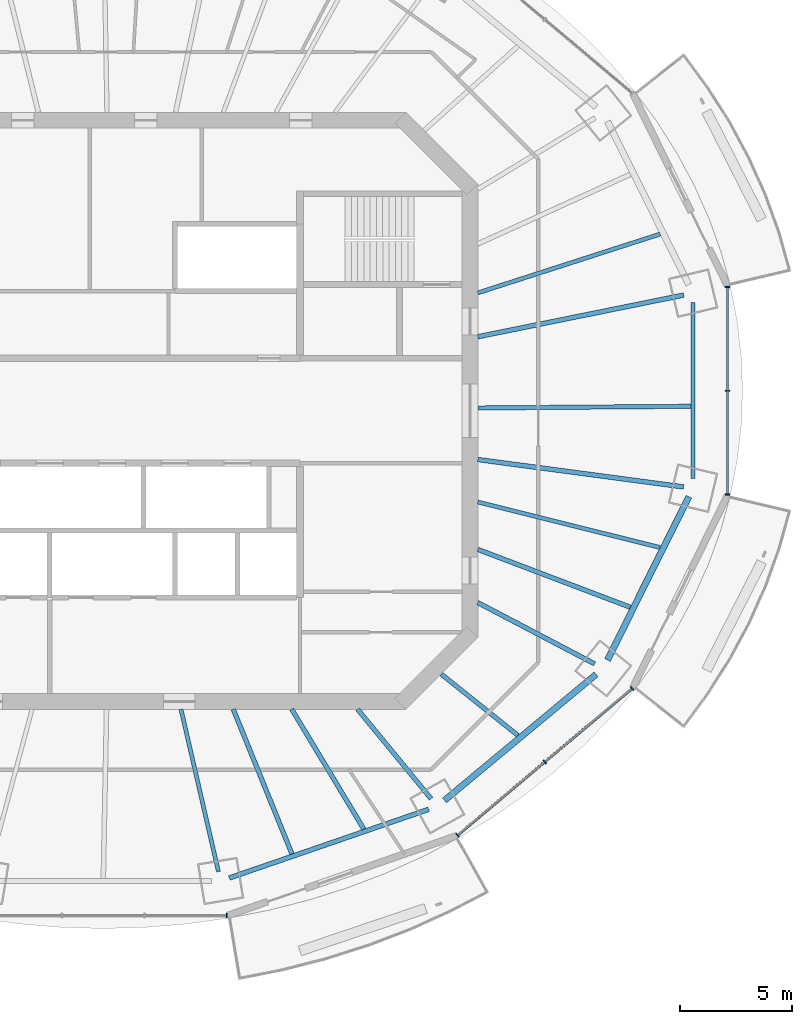
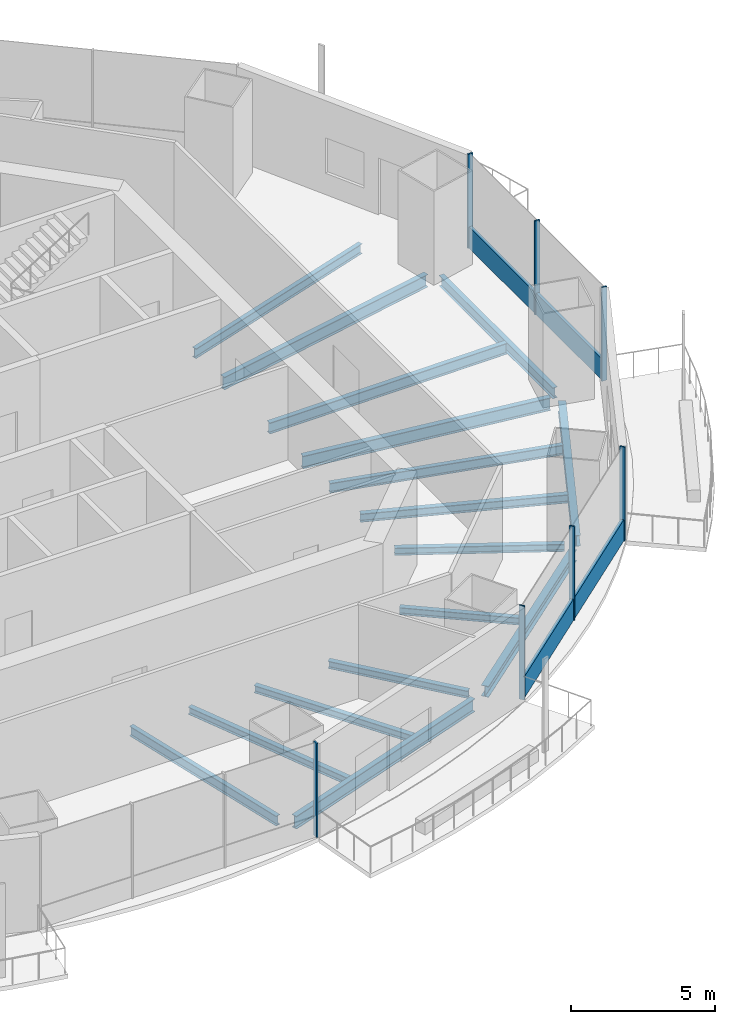
# One storey, part 4 of 16: 16 beams, 9 members, 3 elements without a shape of their own.
"""IFC4 building model written with IfcOpenShell, lengths in metres."""

from ifc_helpers import new_model, si_unit, direction, frame, origin, origin_2d, place, context, subcontext, project, spatial, rectangle, i_section, extrude, material, material_profile, profile_set, type_object, element, aggregate, save


model = new_model("IFC4")

# Units and contexts
model_context = context("Model", 3, precision=1e-05, world=origin(), true_north=direction((0.0, 1.0)))
body_context = subcontext(model_context, "Body", "Model", "MODEL_VIEW")
ifc_project = project(units=[si_unit("LENGTHUNIT", "METRE"), si_unit("AREAUNIT", "SQUARE_METRE"), si_unit("VOLUMEUNIT", "CUBIC_METRE"), si_unit("PLANEANGLEUNIT", "RADIAN"), si_unit("MASSUNIT", "GRAM", prefix="KILO")], contexts=[model_context])

# Site, building, storey
site_placement = place(None, origin())
site = spatial("IfcSite", under=ifc_project, at=site_placement, CompositionType="ELEMENT")
building_placement = place(site_placement, origin())
building = spatial("IfcBuilding", under=site, at=building_placement, Name="Marenthal Gate Tower", CompositionType="ELEMENT")
storey_placement = place(building_placement, frame((0.0, 0.0, 301.10009765625)))
storey = spatial("IfcBuildingStorey", under=building, at=storey_placement, Name="L67", CompositionType="ELEMENT", Elevation=301.10009765625)

# Curtain wall, member
ifc_material_1 = material(Name="Aluminium and glass", Category="aluminium")
curtain_wall_type = type_object("IfcCurtainWallType", Name="Curtain wall typical high", PredefinedType="NOTDEFINED", material=ifc_material_1)
curtain_wall_1_placement = place(storey_placement, origin())
curtain_wall_1 = element("IfcCurtainWall", 1, at=curtain_wall_1_placement, inside=storey, type_object=curtain_wall_type, Name="Curtain wall L67 bay 12", PredefinedType="NOTDEFINED")
ifc_material_2 = material(Name="Aluminium", Category="aluminium")
ifc_material_profile_1 = material_profile(ifc_material_2, rectangle(XDim=0.199951171875, YDim=0.06005859375, at=origin_2d()), Name="60x200 aluminium mullion")
ifc_profile_set_1 = profile_set([ifc_material_profile_1], Name="Aluminium")
member_type_1 = type_object("IfcMemberType", Name="Mullion 60x200 typical high", PredefinedType="MULLION", material=ifc_profile_set_1)
member_1_placement = place(storey_placement, frame((5.12548828125, -22.577880859375, 0.0), z_axis=(0.0, 0.0, 1.0), x_axis=(0.0, 1.0, 0.0)))
member_1 = element("IfcMember", 2, at=member_1_placement, type_object=member_type_1, Name="Mullion L67 bay 12.4", PredefinedType="MULLION", context=body_context, shape_type="SweptSolid", body=[
    extrude(rectangle(XDim=0.199951171875, YDim=0.06005859375, at=origin_2d()), origin(), (0.0, 0.0, 1.0), 3.969970703125),
])
aggregate(curtain_wall_1, [member_1])

# Curtain wall, members
curtain_wall_2_placement = place(storey_placement, origin())
curtain_wall_2 = element("IfcCurtainWall", 3, at=curtain_wall_2_placement, inside=storey, type_object=curtain_wall_type, Name="Curtain wall L67 bay 14", PredefinedType="NOTDEFINED")
member_2_placement = place(storey_placement, frame((15.443359375, -18.984375, 0.0), z_axis=(0.0, 0.0, 1.0), x_axis=(-0.643479945432, 0.765462970905, 0.0)))
member_2 = element("IfcMember", 4, at=member_2_placement, type_object=member_type_1, Name="Mullion L67 bay 14.1", PredefinedType="MULLION", context=body_context, shape_type="SweptSolid", body=[
    extrude(rectangle(XDim=0.199951171875, YDim=0.06005859375, at=origin_2d()), origin(), (0.0, 0.0, 1.0), 3.969970703125),
])
member_3_placement = place(storey_placement, frame((19.3486328125, -15.701416015625, 0.0), z_axis=(0.0, 0.0, 1.0), x_axis=(-0.643479945432, 0.765462970905, 0.0)))
member_3 = element("IfcMember", 5, at=member_3_placement, type_object=member_type_1, Name="Mullion L67 bay 14.2", PredefinedType="MULLION", context=body_context, shape_type="SweptSolid", body=[
    extrude(rectangle(XDim=0.199951171875, YDim=0.06005859375, at=origin_2d()), origin(), (0.0, 0.0, 1.0), 3.969970703125),
])
member_4_placement = place(storey_placement, frame((23.25390625, -12.41845703125, 0.0), z_axis=(0.0, 0.0, 1.0), x_axis=(-0.643479945432, 0.765462970905, 0.0)))
member_4 = element("IfcMember", 6, at=member_4_placement, type_object=member_type_1, Name="Mullion L67 bay 14.3", PredefinedType="MULLION", context=body_context, shape_type="SweptSolid", body=[
    extrude(rectangle(XDim=0.199951171875, YDim=0.06005859375, at=origin_2d()), origin(), (0.0, 0.0, 1.0), 3.969970703125),
])

curtain_wall_3_placement = place(storey_placement, origin())
curtain_wall_3 = element("IfcCurtainWall", 7, at=curtain_wall_3_placement, inside=storey, type_object=curtain_wall_type, Name="Curtain wall L67 bay 16", PredefinedType="NOTDEFINED")
member_5_placement = place(storey_placement, frame((27.52880859375, -3.739990234375, 0.0), z_axis=(0.0, 0.0, 1.0), x_axis=(-1.0, 0.0, 0.0)))
member_5 = element("IfcMember", 8, at=member_5_placement, type_object=member_type_1, Name="Mullion L67 bay 16.1", PredefinedType="MULLION", context=body_context, shape_type="SweptSolid", body=[
    extrude(rectangle(XDim=0.199951171875, YDim=0.06005859375, at=origin_2d()), origin(), (0.0, 0.0, 1.0), 3.969970703125),
])
member_6_placement = place(storey_placement, frame((27.52880859375, 0.89990234375, 0.0), z_axis=(0.0, 0.0, 1.0), x_axis=(-1.0, 0.0, 0.0)))
member_6 = element("IfcMember", 9, at=member_6_placement, type_object=member_type_1, Name="Mullion L67 bay 16.2", PredefinedType="MULLION", context=body_context, shape_type="SweptSolid", body=[
    extrude(rectangle(XDim=0.199951171875, YDim=0.06005859375, at=origin_2d()), origin(), (0.0, 0.0, 1.0), 3.969970703125),
])
member_7_placement = place(storey_placement, frame((27.52880859375, 5.5400390625, 0.0), z_axis=(0.0, 0.0, 1.0), x_axis=(-1.0, 0.0, 0.0)))
member_7 = element("IfcMember", 10, at=member_7_placement, type_object=member_type_1, Name="Mullion L67 bay 16.3", PredefinedType="MULLION", context=body_context, shape_type="SweptSolid", body=[
    extrude(rectangle(XDim=0.199951171875, YDim=0.06005859375, at=origin_2d()), origin(), (0.0, 0.0, 1.0), 3.969970703125),
])

# Member
ifc_material_3 = material(Name="Aluminium", Category="aluminium")
ifc_material_profile_2 = material_profile(ifc_material_3, rectangle(XDim=0.1201171875, YDim=0.89990234375, at=origin_2d()), Name="120x900 aluminium transom")
ifc_profile_set_2 = profile_set([ifc_material_profile_2], Name="Aluminium")
member_type_2 = type_object("IfcMemberType", Name="Transom 120x900 typical high", PredefinedType="USERDEFINED", material=ifc_profile_set_2)
member_8_placement = place(storey_placement, frame((15.46630859375, -18.965087890625, 0.449951171875), z_axis=(0.765460155219, 0.643483294866, 0.0), x_axis=(-0.643483294866, 0.765460155219, 0.0)))
member_8 = element("IfcMember", 11, at=member_8_placement, type_object=member_type_2, Name="Transom L67 bay 14", ObjectType="TRANSOM", PredefinedType="USERDEFINED", context=body_context, shape_type="SweptSolid", body=[
    extrude(rectangle(XDim=0.1201171875, YDim=0.89990234375, at=origin_2d()), origin(), (0.0, 0.0, 1.0), 10.143798828125),
])

aggregate(curtain_wall_2, [member_2, member_3, member_4, member_8])

member_9_placement = place(storey_placement, frame((27.52880859375, -3.710205078125, 0.449951171875), z_axis=(0.0, 1.0, 0.0), x_axis=(-1.0, 0.0, 0.0)))
member_9 = element("IfcMember", 12, at=member_9_placement, type_object=member_type_2, Name="Transom L67 bay 16", ObjectType="TRANSOM", PredefinedType="USERDEFINED", context=body_context, shape_type="SweptSolid", body=[
    extrude(rectangle(XDim=0.1201171875, YDim=0.89990234375, at=origin_2d()), origin(), (0.0, 0.0, 1.0), 9.22021484375),
])

aggregate(curtain_wall_3, [member_5, member_6, member_7, member_9])

# Beams
ifc_material_4 = material(Name="Steel S355", Category="steel")
ifc_material_profile_3 = material_profile(ifc_material_4, i_section(OverallWidth=0.202880859375, OverallDepth=0.302001953125, WebThickness=0.007568359375, FlangeThickness=0.01318359375, FilletRadius=0.0126953125, at=origin_2d()), Name="W310X60")
ifc_profile_set_3 = profile_set([ifc_material_profile_3], Name="Steel S355")
beam_type_1 = type_object("IfcBeamType", Name="W310X60 beam", PredefinedType="BEAM", material=ifc_profile_set_3)
beam_1_placement = place(storey_placement, frame((18.1416015625, -14.5166015625, -0.3310546875), z_axis=(-0.780798186139, 0.624783316456, 0.0), x_axis=(-0.624783316456, -0.780798186139, 0.0)))
element("IfcBeam", 13, at=beam_1_placement, inside=storey, type_object=beam_type_1, Name="BM-L67-37", PredefinedType="BEAM", context=body_context, shape_type="SweptSolid", body=[
    extrude(i_section(OverallWidth=0.202880859375, OverallDepth=0.302001953125, WebThickness=0.007568359375, FlangeThickness=0.01318359375, FilletRadius=0.0126953125, at=origin_2d()), origin(), (0.0, 0.0, 1.0), 4.384765625),
])
ifc_material_5 = material(Name="Steel S355", Category="steel")
ifc_material_profile_4 = material_profile(ifc_material_5, i_section(OverallWidth=0.205078125, OverallDepth=0.31005859375, WebThickness=0.009521484375, FlangeThickness=0.016357421875, FilletRadius=0.0126953125, at=origin_2d()), Name="W310X74")
ifc_profile_set_4 = profile_set([ifc_material_profile_4], Name="Steel S355")
beam_type_2 = type_object("IfcBeamType", Name="W310X74 beam", PredefinedType="BEAM", material=ifc_profile_set_4)
beam_2_placement = place(storey_placement, frame((14.262939453125, -17.349853515625, -0.335205078125), z_axis=(-0.635036003513, 0.772482539765, 0.0), x_axis=(-0.772482539765, -0.635036003513, 0.0)))
element("IfcBeam", 14, at=beam_2_placement, inside=storey, type_object=beam_type_2, Name="BM-L67-14", PredefinedType="BEAM", context=body_context, shape_type="SweptSolid", body=[
    extrude(i_section(OverallWidth=0.205078125, OverallDepth=0.31005859375, WebThickness=0.009521484375, FlangeThickness=0.016357421875, FilletRadius=0.0126953125, at=origin_2d()), origin(), (0.0, 0.0, 1.0), 5.177734375),
])
beam_3_placement = place(storey_placement, frame((21.5712890625, -11.31591796875, -0.335205078125), z_axis=(-0.885545270572, 0.464553090365, 0.0), x_axis=(-0.464553090365, -0.885545270572, 0.0)))
element("IfcBeam", 15, at=beam_3_placement, inside=storey, type_object=beam_type_2, Name="BM-L67-15", PredefinedType="BEAM", context=body_context, shape_type="SweptSolid", body=[
    extrude(i_section(OverallWidth=0.205078125, OverallDepth=0.31005859375, WebThickness=0.009521484375, FlangeThickness=0.016357421875, FilletRadius=0.0126953125, at=origin_2d()), origin(), (0.0, 0.0, 1.0), 5.89599609375),
])
beam_4_placement = place(storey_placement, frame((8.0390625, -19.817138671875, -0.335205078125), z_axis=(-0.375921906539, 0.926651347694, 0.0), x_axis=(-0.926651347694, -0.375921906539, 0.0)))
element("IfcBeam", 16, at=beam_4_placement, inside=storey, type_object=beam_type_2, Name="BM-L67-35", PredefinedType="BEAM", context=body_context, shape_type="SweptSolid", body=[
    extrude(i_section(OverallWidth=0.205078125, OverallDepth=0.31005859375, WebThickness=0.009521484375, FlangeThickness=0.016357421875, FilletRadius=0.0126953125, at=origin_2d()), origin(), (0.0, 0.0, 1.0), 6.97900390625),
])
beam_5_placement = place(storey_placement, frame((11.2548828125, -18.7099609375, -0.335205078125), z_axis=(-0.515459756006, 0.856913787926, 0.0), x_axis=(-0.856913787926, -0.515459756006, 0.0)))
element("IfcBeam", 17, at=beam_5_placement, inside=storey, type_object=beam_type_2, Name="BM-L67-36", PredefinedType="BEAM", context=body_context, shape_type="SweptSolid", body=[
    extrude(i_section(OverallWidth=0.205078125, OverallDepth=0.31005859375, WebThickness=0.009521484375, FlangeThickness=0.016357421875, FilletRadius=0.0126953125, at=origin_2d()), origin(), (0.0, 0.0, 1.0), 6.2548828125),
])
ifc_material_6 = material(Name="Steel S355", Category="steel")
ifc_material_profile_5 = material_profile(ifc_material_6, i_section(OverallWidth=0.205078125, OverallDepth=0.35302734375, WebThickness=0.009521484375, FlangeThickness=0.016845703125, FilletRadius=0.014892578125, at=origin_2d()), Name="W360X79")
ifc_profile_set_5 = profile_set([ifc_material_profile_5], Name="Steel S355")
beam_type_3 = type_object("IfcBeamType", Name="W360X79 beam", PredefinedType="BEAM", material=ifc_profile_set_5)
beam_6_placement = place(storey_placement, frame((23.170654296875, -8.78515625, -0.356689453125), z_axis=(-0.935050712882, 0.354513983278, 0.0), x_axis=(-0.354513983278, -0.935050712882, 0.0)))
element("IfcBeam", 18, at=beam_6_placement, inside=storey, type_object=beam_type_3, Name="BM-L67-38", PredefinedType="BEAM", context=body_context, shape_type="SweptSolid", body=[
    extrude(i_section(OverallWidth=0.205078125, OverallDepth=0.35302734375, WebThickness=0.009521484375, FlangeThickness=0.016845703125, FilletRadius=0.014892578125, at=origin_2d()), origin(), (0.0, 0.0, 1.0), 7.29443359375),
])
ifc_material_7 = material(Name="Steel S355", Category="steel")
ifc_material_profile_6 = material_profile(ifc_material_7, i_section(OverallWidth=0.180908203125, OverallDepth=0.4169921875, WebThickness=0.010986328125, FlangeThickness=0.018310546875, FilletRadius=0.01025390625, at=origin_2d()), Name="W410X85")
ifc_profile_set_6 = profile_set([ifc_material_profile_6], Name="Steel S355")
beam_type_4 = type_object("IfcBeamType", Name="W410X85 beam", PredefinedType="BEAM", material=ifc_profile_set_6)
beam_7_placement = place(storey_placement, frame((4.751220703125, -20.612548828125, -0.388671875), z_axis=(-0.224620257537, 0.974446376105, 0.0), x_axis=(-0.974446376105, -0.224620257537, 0.0)))
element("IfcBeam", 19, at=beam_7_placement, inside=storey, type_object=beam_type_4, Name="BM-L67-13", PredefinedType="BEAM", context=body_context, shape_type="SweptSolid", body=[
    extrude(i_section(OverallWidth=0.180908203125, OverallDepth=0.4169921875, WebThickness=0.010986328125, FlangeThickness=0.018310546875, FilletRadius=0.01025390625, at=origin_2d()), origin(), (0.0, 0.0, 1.0), 7.452880859375),
])
beam_8_placement = place(storey_placement, frame((24.506103515625, 7.905029296875, -0.388671875), z_axis=(-0.951704053105, -0.307016929994, 0.0), x_axis=(0.307016929994, -0.951704053105, 0.0)))
element("IfcBeam", 20, at=beam_8_placement, inside=storey, type_object=beam_type_4, Name="BM-L67-17", PredefinedType="BEAM", context=body_context, shape_type="SweptSolid", body=[
    extrude(i_section(OverallWidth=0.180908203125, OverallDepth=0.4169921875, WebThickness=0.010986328125, FlangeThickness=0.018310546875, FilletRadius=0.01025390625, at=origin_2d()), origin(), (0.0, 0.0, 1.0), 8.56982421875),
])
beam_9_placement = place(storey_placement, frame((24.501953125, -6.11376953125, -0.388671875), z_axis=(-0.97024838396, 0.242111696171, 0.0), x_axis=(-0.242111696171, -0.97024838396, 0.0)))
element("IfcBeam", 21, at=beam_9_placement, inside=storey, type_object=beam_type_4, Name="BM-L67-39", PredefinedType="BEAM", context=body_context, shape_type="SweptSolid", body=[
    extrude(i_section(OverallWidth=0.180908203125, OverallDepth=0.4169921875, WebThickness=0.010986328125, FlangeThickness=0.018310546875, FilletRadius=0.01025390625, at=origin_2d()), origin(), (0.0, 0.0, 1.0), 8.40185546875),
])
ifc_material_8 = material(Name="Steel S355", Category="steel")
ifc_material_profile_7 = material_profile(ifc_material_8, i_section(OverallWidth=0.279052734375, OverallDepth=0.4619140625, WebThickness=0.0107421875, FlangeThickness=0.017333984375, FilletRadius=0.010009765625, at=origin_2d()), Name="W460X113")
ifc_profile_set_7 = profile_set([ifc_material_profile_7], Name="Steel S355")
beam_type_5 = type_object("IfcBeamType", Name="W460X113 beam", PredefinedType="BEAM", material=ifc_profile_set_7)
beam_10_placement = place(storey_placement, frame((14.8623046875, -17.424072265625, -0.4111328125), z_axis=(0.769010658492, 0.639235955752, 0.0), x_axis=(-0.639235955752, 0.769010658492, 0.0)))
element("IfcBeam", 22, at=beam_10_placement, inside=storey, type_object=beam_type_5, Name="BM-L67-54", PredefinedType="BEAM", context=body_context, shape_type="SweptSolid", body=[
    extrude(i_section(OverallWidth=0.279052734375, OverallDepth=0.4619140625, WebThickness=0.0107421875, FlangeThickness=0.017333984375, FilletRadius=0.010009765625, at=origin_2d()), origin(), (0.0, 0.0, 1.0), 8.815673828125),
])
beam_11_placement = place(storey_placement, frame((22.15087890625, -11.144287109375, -0.4111328125), z_axis=(0.446016397949, 0.895024788908, 0.0), x_axis=(-0.895024788908, 0.446016397949, 0.0)))
element("IfcBeam", 23, at=beam_11_placement, inside=storey, type_object=beam_type_5, Name="BM-L67-55", PredefinedType="BEAM", context=body_context, shape_type="SweptSolid", body=[
    extrude(i_section(OverallWidth=0.279052734375, OverallDepth=0.4619140625, WebThickness=0.0107421875, FlangeThickness=0.017333984375, FilletRadius=0.010009765625, at=origin_2d()), origin(), (0.0, 0.0, 1.0), 8.159912109375),
])
ifc_material_9 = material(Name="Steel S355", Category="steel")
ifc_material_profile_8 = material_profile(ifc_material_9, i_section(OverallWidth=0.19091796875, OverallDepth=0.45703125, WebThickness=0.009033203125, FlangeThickness=0.014404296875, FilletRadius=0.01025390625, at=origin_2d()), Name="W460X74")
ifc_profile_set_8 = profile_set([ifc_material_profile_8], Name="Steel S355")
beam_type_6 = type_object("IfcBeamType", Name="W460X74 beam", PredefinedType="BEAM", material=ifc_profile_set_8)
beam_12_placement = place(storey_placement, frame((25.979248046875, -3.036376953125, -0.40869140625), z_axis=(0.0, 1.0, 0.0), x_axis=(-1.0, 0.0, 0.0)))
element("IfcBeam", 24, at=beam_12_placement, inside=storey, type_object=beam_type_6, Name="BM-L67-56", PredefinedType="BEAM", context=body_context, shape_type="SweptSolid", body=[
    extrude(i_section(OverallWidth=0.19091796875, OverallDepth=0.45703125, WebThickness=0.009033203125, FlangeThickness=0.014404296875, FilletRadius=0.01025390625, at=origin_2d()), origin(), (0.0, 0.0, 1.0), 7.872802734375),
])
ifc_material_10 = material(Name="Steel S355", Category="steel")
ifc_material_profile_9 = material_profile(ifc_material_10, i_section(OverallWidth=0.193115234375, OverallDepth=0.467041015625, WebThickness=0.011474609375, FlangeThickness=0.01904296875, FilletRadius=0.010009765625, at=origin_2d()), Name="W460X97")
ifc_profile_set_9 = profile_set([ifc_material_profile_9], Name="Steel S355")
beam_type_7 = type_object("IfcBeamType", Name="W460X97 beam", PredefinedType="BEAM", material=ifc_profile_set_9)
beam_13_placement = place(storey_placement, frame((25.8837890625, 0.201416015625, -0.41357421875), z_axis=(-0.999969699112, -0.007784655276, 0.0), x_axis=(0.007784655276, -0.999969699112, 0.0)))
element("IfcBeam", 25, at=beam_13_placement, inside=storey, type_object=beam_type_7, Name="BM-L67-40", PredefinedType="BEAM", context=body_context, shape_type="SweptSolid", body=[
    extrude(i_section(OverallWidth=0.193115234375, OverallDepth=0.467041015625, WebThickness=0.011474609375, FlangeThickness=0.01904296875, FilletRadius=0.010009765625, at=origin_2d()), origin(), (0.0, 0.0, 1.0), 9.533935546875),
])
ifc_material_11 = material(Name="Steel S355", Category="steel")
ifc_material_profile_10 = material_profile(ifc_material_11, i_section(OverallWidth=0.2099609375, OverallDepth=0.535888671875, WebThickness=0.010986328125, FlangeThickness=0.017333984375, FilletRadius=0.0126953125, at=origin_2d()), Name="W530X101")
ifc_profile_set_10 = profile_set([ifc_material_profile_10], Name="Steel S355")
beam_type_8 = type_object("IfcBeamType", Name="W530X101 beam", PredefinedType="BEAM", material=ifc_profile_set_10)
beam_14_placement = place(storey_placement, frame((25.562255859375, 5.17724609375, -0.447998046875), z_axis=(-0.980101246087, -0.198498230265, 0.0), x_axis=(0.198498230265, -0.980101246087, 0.0)))
element("IfcBeam", 26, at=beam_14_placement, inside=storey, type_object=beam_type_8, Name="BM-L67-01", PredefinedType="BEAM", context=body_context, shape_type="SweptSolid", body=[
    extrude(i_section(OverallWidth=0.2099609375, OverallDepth=0.535888671875, WebThickness=0.010986328125, FlangeThickness=0.017333984375, FilletRadius=0.0126953125, at=origin_2d()), origin(), (0.0, 0.0, 1.0), 9.399169921875),
])
beam_15_placement = place(storey_placement, frame((25.552978515625, -3.405029296875, -0.447998046875), z_axis=(-0.991238232434, 0.132086208821, 0.0), x_axis=(-0.132086208821, -0.991238232434, 0.0)))
element("IfcBeam", 27, at=beam_15_placement, inside=storey, type_object=beam_type_8, Name="BM-L67-16", PredefinedType="BEAM", context=body_context, shape_type="SweptSolid", body=[
    extrude(i_section(OverallWidth=0.2099609375, OverallDepth=0.535888671875, WebThickness=0.010986328125, FlangeThickness=0.017333984375, FilletRadius=0.0126953125, at=origin_2d()), origin(), (0.0, 0.0, 1.0), 9.2841796875),
])
ifc_material_12 = material(Name="Steel S355", Category="steel")
ifc_material_profile_11 = material_profile(ifc_material_12, i_section(OverallWidth=0.2119140625, OverallDepth=0.5439453125, WebThickness=0.01318359375, FlangeThickness=0.021240234375, FilletRadius=0.0126953125, at=origin_2d()), Name="W530X123")
ifc_profile_set_11 = profile_set([ifc_material_profile_11], Name="Steel S355")
beam_type_9 = type_object("IfcBeamType", Name="W530X123 beam", PredefinedType="BEAM", material=ifc_profile_set_11)
beam_16_placement = place(storey_placement, frame((5.2373046875, -20.89404296875, -0.4521484375), z_axis=(0.945516546664, 0.325574046853, 0.0), x_axis=(-0.325574046853, 0.945516546664, 0.0)))
element("IfcBeam", 28, at=beam_16_placement, inside=storey, type_object=beam_type_9, Name="BM-L67-53", PredefinedType="BEAM", context=body_context, shape_type="SweptSolid", body=[
    extrude(i_section(OverallWidth=0.2119140625, OverallDepth=0.5439453125, WebThickness=0.01318359375, FlangeThickness=0.021240234375, FilletRadius=0.0126953125, at=origin_2d()), origin(), (0.0, 0.0, 1.0), 9.427490234375),
])

save(model, "model.ifc")
